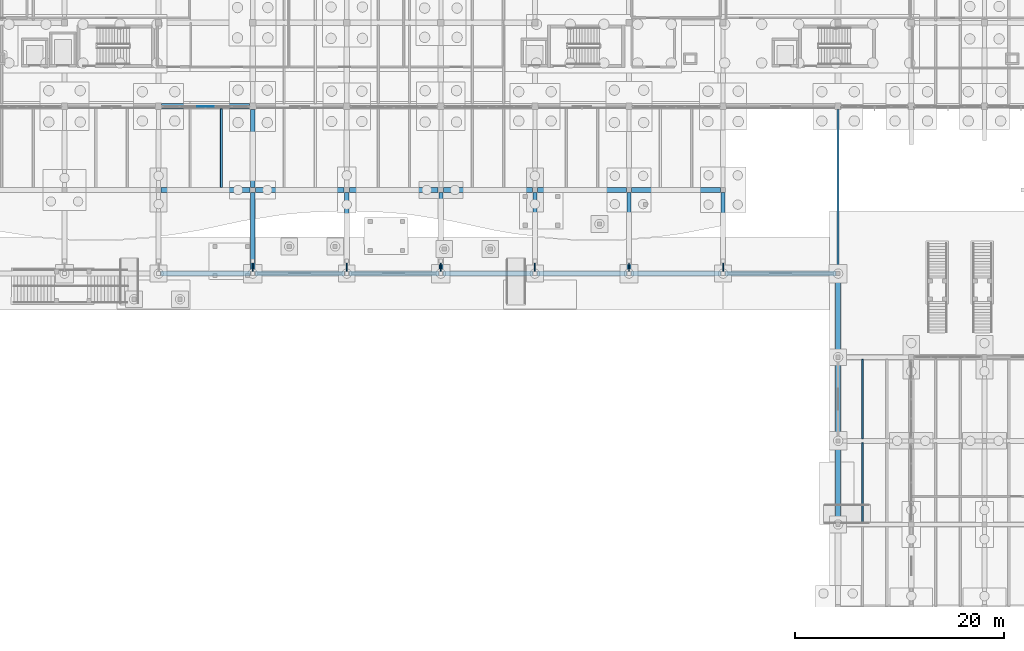
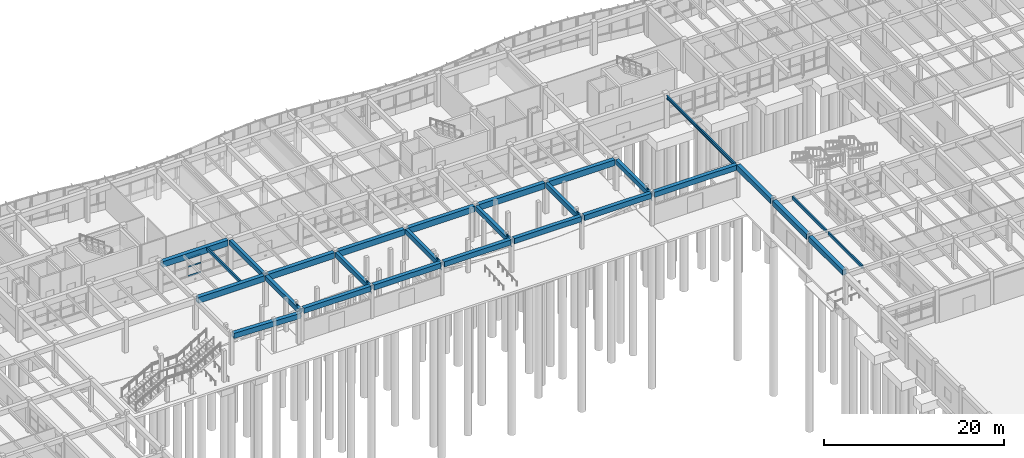
# One storey, part 31 of 99: 28 beams, 9 members, 1 element without a shape of its own.
"""IFC4 building model written with IfcOpenShell, lengths in metres."""

from ifc_helpers import new_model, si_unit, direction, frame, origin, origin_2d, place, context, subcontext, project, spatial, rectangle, hollow_circle, i_section, extrude, material, layer, layer_set, material_profile, profile_set, type_object, element, aggregate, save


model = new_model("IFC4")

# Units and contexts
model_context = context("Model", 3, precision=1e-05, world=origin(), true_north=direction((0.0, 1.0)))
body_context = subcontext(model_context, "Body", "Model", "MODEL_VIEW")
ifc_project = project(units=[si_unit("LENGTHUNIT", "METRE"), si_unit("AREAUNIT", "SQUARE_METRE"), si_unit("VOLUMEUNIT", "CUBIC_METRE"), si_unit("PLANEANGLEUNIT", "RADIAN"), si_unit("MASSUNIT", "GRAM", prefix="KILO")], contexts=[model_context])

# Site, building, storey
site_placement = place(None, origin())
site = spatial("IfcSite", under=ifc_project, at=site_placement, CompositionType="ELEMENT")
building_placement = place(site_placement, origin())
building = spatial("IfcBuilding", under=site, at=building_placement, Name="Tonlespit Floodbar School", CompositionType="ELEMENT")
storey_placement = place(building_placement, origin())
storey = spatial("IfcBuildingStorey", under=building, at=storey_placement, Name="L00", CompositionType="ELEMENT", Elevation=0.0)

# Beams
ifc_material_1 = material(Name="Concrete C40/50", Category="concrete")
ifc_material_profile_1 = material_profile(ifc_material_1, rectangle(XDim=0.39990234375, YDim=0.64990234375, at=origin_2d()), Name="RC 400x650")
ifc_profile_set_1 = profile_set([ifc_material_profile_1], Name="Concrete C40/50")
beam_type_1 = type_object("IfcBeamType", Name="Beam_RC_400x650", PredefinedType="BEAM", material=ifc_profile_set_1)
beam_1_placement = place(storey_placement, frame((71.0, 88.199951171875, 3.9150390625), z_axis=(0.0, 1.0, 0.0), x_axis=(-1.0, 0.0, 0.0)))
element("IfcBeam", 1, at=beam_1_placement, inside=storey, type_object=beam_type_1, Name="L00 girder 0240", PredefinedType="BEAM", context=body_context, shape_type="SweptSolid", body=[
    extrude(rectangle(XDim=0.39990234375, YDim=0.64990234375, at=origin_2d()), origin(), (0.0, 0.0, 1.0), 7.550048828125),
])
beam_2_placement = place(storey_placement, frame((71.0, 96.25, 3.9150390625), z_axis=(0.0, 1.0, 0.0), x_axis=(-1.0, 0.0, 0.0)))
element("IfcBeam", 2, at=beam_2_placement, inside=storey, type_object=beam_type_1, Name="L00 girder 0241", PredefinedType="BEAM", context=body_context, shape_type="SweptSolid", body=[
    extrude(rectangle(XDim=0.39990234375, YDim=0.64990234375, at=origin_2d()), origin(), (0.0, 0.0, 1.0), 7.449951171875),
])
for number, where, z_axis, x_axis, name in (
    (3, (80.0, 88.199951171875, 3.9150390625), (0.0, 1.0, 0.0), (-1.0, 0.0, 0.0), "L00 girder 0244"),
    (4, (89.0, 88.199951171875, 3.9150390625), (0.0, 1.0, 0.0), (-1.0, 0.0, 0.0), "L00 girder 0248"),
    (5, (98.0, 88.199951171875, 3.9150390625), (0.0, 1.0, 0.0), (-1.0, 0.0, 0.0), "L00 girder 0252"),
    (6, (107.0, 88.199951171875, 3.9150390625), (0.0, 1.0, 0.0), (-1.0, 0.0, 0.0), "L00 girder 0255"),
    (7, (116.0, 88.199951171875, 3.9150390625), (0.0, 1.0, 0.0), (-1.0, 0.0, 0.0), "L00 girder 0257"),
):
    element("IfcBeam", number, at=place(storey_placement, frame(where, z_axis=z_axis, x_axis=x_axis)), inside=storey, type_object=beam_type_1, Name=name, PredefinedType="BEAM", context=body_context, shape_type="SweptSolid", body=[
        extrude(rectangle(XDim=0.39990234375, YDim=0.64990234375, at=origin_2d()), origin(), (0.0, 0.0, 1.0), 7.550048828125),
    ])
ifc_material_profile_2 = material_profile(ifc_material_1, rectangle(XDim=0.5, YDim=0.800048828125, at=origin_2d()), Name="RC 500x800")
ifc_profile_set_2 = profile_set([ifc_material_profile_2], Name="Concrete C40/50")
beam_type_2 = type_object("IfcBeamType", Name="Beam_RC_500x800", PredefinedType="BEAM", material=ifc_profile_set_2)
for number, where, z_axis, x_axis, name in (
    (8, (62.25, 96.0, 3.840087890625), (1.0, 0.0, 0.0), (0.0, 1.0, 0.0), "L00 girder 0114"),
    (9, (71.25, 96.0, 3.840087890625), (1.0, 0.0, 0.0), (0.0, 1.0, 0.0), "L00 girder 0115"),
    (10, (80.25, 96.0, 3.840087890625), (1.0, 0.0, 0.0), (0.0, 1.0, 0.0), "L00 girder 0116"),
    (11, (89.25, 96.0, 3.840087890625), (1.0, 0.0, 0.0), (0.0, 1.0, 0.0), "L00 girder 0117"),
    (12, (98.25, 96.0, 3.840087890625), (1.0, 0.0, 0.0), (0.0, 1.0, 0.0), "L00 girder 0118"),
    (13, (107.25, 96.0, 3.840087890625), (1.0, 0.0, 0.0), (0.0, 1.0, 0.0), "L00 girder 0119"),
):
    element("IfcBeam", number, at=place(storey_placement, frame(where, z_axis=z_axis, x_axis=x_axis)), inside=storey, type_object=beam_type_2, Name=name, PredefinedType="BEAM", context=body_context, shape_type="SweptSolid", body=[
        extrude(rectangle(XDim=0.5, YDim=0.800048828125, at=origin_2d()), origin(), (0.0, 0.0, 1.0), 8.5),
    ])
beam_3_placement = place(storey_placement, frame((62.300048828125, 104.0, 3.840087890625), z_axis=(1.0, 0.0, 0.0), x_axis=(0.0, 1.0, 0.0)))
element("IfcBeam", 14, at=beam_3_placement, inside=storey, type_object=beam_type_2, Name="L00 girder 0126", PredefinedType="BEAM", context=body_context, shape_type="SweptSolid", body=[
    extrude(rectangle(XDim=0.5, YDim=0.800048828125, at=origin_2d()), origin(), (0.0, 0.0, 1.0), 8.39990234375),
])
ifc_material_2 = material(Name="Steel S355", Category="steel")
ifc_material_profile_3 = material_profile(ifc_material_2, i_section(OverallWidth=0.18994140625, OverallDepth=0.449951171875, WebThickness=0.009521484375, FlangeThickness=0.0146484375, at=origin_2d()), Name="IPE 450")
ifc_profile_set_3 = profile_set([ifc_material_profile_3], Name="Steel S355")
beam_type_3 = type_object("IfcBeamType", Name="Beam_STL_IPE450", PredefinedType="BEAM", material=ifc_profile_set_3)
beam_4_placement = place(storey_placement, frame((127.0, 88.199951171875, 4.014892578125), z_axis=(0.0, 1.0, 0.0), x_axis=(-1.0, 0.0, 0.0)))
element("IfcBeam", 15, at=beam_4_placement, inside=storey, type_object=beam_type_3, Name="L00 girder 0271", PredefinedType="BEAM", context=body_context, shape_type="SweptSolid", body=[
    extrude(i_section(OverallWidth=0.18994140625, OverallDepth=0.449951171875, WebThickness=0.009521484375, FlangeThickness=0.0146484375, at=origin_2d()), origin(), (0.0, 0.0, 1.0), 15.5),
])

# Curtain wall, members
ifc_material_3 = material(Name="Anodised Aluminium", Category="aluminium")
ifc_layer = layer(ifc_material_3, 0.159912109375)
ifc_layer_set = layer_set([ifc_layer], Name="Anodised Aluminium")
curtain_wall_type = type_object("IfcCurtainWallType", Name="CurtainWall_8300x2500", PredefinedType="NOTDEFINED", material=ifc_layer_set)
curtain_wall_placement = place(storey_placement, origin())
curtain_wall = element("IfcCurtainWall", 16, at=curtain_wall_placement, inside=storey, type_object=curtain_wall_type, Name="L00 unitised curtain wall 0038", PredefinedType="NOTDEFINED")
ifc_material_profile_4 = material_profile(ifc_material_3, rectangle(XDim=0.06494140625, YDim=0.1201171875, at=origin_2d()), Name="ALU T65x120")
ifc_profile_set_4 = profile_set([ifc_material_profile_4], Name="Anodised Aluminium")
member_type_1 = type_object("IfcMemberType", Name="CW_Transom_65x120", PredefinedType="USERDEFINED", material=ifc_profile_set_4)
member_1_placement = place(storey_placement, frame((67.299560546875, 104.0, 0.982421875), z_axis=(-1.0, 0.0, 0.0), x_axis=(0.0, -1.0, 0.0)))
member_1 = element("IfcMember", 17, at=member_1_placement, type_object=member_type_1, Name="CW-03 transom 3.1", ObjectType="TRANSOM", PredefinedType="USERDEFINED", context=body_context, shape_type="SweptSolid", body=[
    extrude(rectangle(XDim=0.06494140625, YDim=0.1201171875, at=origin_2d()), origin(), (0.0, 0.0, 1.0), 1.59912109375),
])
member_2_placement = place(storey_placement, frame((67.299560546875, 104.0, 2.244873046875), z_axis=(-1.0, 0.0, 0.0), x_axis=(0.0, -1.0, 0.0)))
member_2 = element("IfcMember", 18, at=member_2_placement, type_object=member_type_1, Name="CW-03 transom 3.2", ObjectType="TRANSOM", PredefinedType="USERDEFINED", context=body_context, shape_type="SweptSolid", body=[
    extrude(rectangle(XDim=0.06494140625, YDim=0.1201171875, at=origin_2d()), origin(), (0.0, 0.0, 1.0), 1.59912109375),
])
member_3_placement = place(storey_placement, frame((67.299560546875, 104.0, 3.407470703125), z_axis=(-1.0, 0.0, 0.0), x_axis=(0.0, -1.0, 0.0)))
member_3 = element("IfcMember", 19, at=member_3_placement, type_object=member_type_1, Name="CW-03 transom 3.3", ObjectType="TRANSOM", PredefinedType="USERDEFINED", context=body_context, shape_type="SweptSolid", body=[
    extrude(rectangle(XDim=0.06494140625, YDim=0.1201171875, at=origin_2d()), origin(), (0.0, 0.0, 1.0), 1.59912109375),
])
aggregate(curtain_wall, [member_1, member_2, member_3])

# Beams
ifc_material_4 = material(Name="Glulam GL28h", Category="wood")
ifc_material_profile_5 = material_profile(ifc_material_4, rectangle(XDim=0.179931640625, YDim=0.39990234375, at=origin_2d()), Name="GL 180x400")
ifc_profile_set_5 = profile_set([ifc_material_profile_5], Name="Glulam GL28h")
beam_type_4 = type_object("IfcBeamType", Name="Joist_GL_180x400", PredefinedType="JOIST", material=ifc_profile_set_5)
for number, where, z_axis, x_axis, name in (
    (20, (129.333251953125, 64.199951171875, 4.0400390625), (0.0, 1.0, 0.0), (-1.0, 0.0, 0.0), "L00 secondary joist 0424"),
    (21, (129.333251953125, 72.199951171875, 4.0400390625), (0.0, 1.0, 0.0), (-1.0, 0.0, 0.0), "L00 secondary joist 0444"),
):
    element("IfcBeam", number, at=place(storey_placement, frame(where, z_axis=z_axis, x_axis=x_axis)), inside=storey, type_object=beam_type_4, Name=name, PredefinedType="JOIST", context=body_context, shape_type="SweptSolid", body=[
        extrude(rectangle(XDim=0.179931640625, YDim=0.39990234375, at=origin_2d()), origin(), (0.0, 0.0, 1.0), 7.60009765625),
    ])
beam_5_placement = place(storey_placement, frame((68.0, 96.25, 4.0400390625), z_axis=(0.0, 1.0, 0.0), x_axis=(-1.0, 0.0, 0.0)))
element("IfcBeam", 22, at=beam_5_placement, inside=storey, type_object=beam_type_4, Name="L00 secondary joist 0485", PredefinedType="JOIST", context=body_context, shape_type="SweptSolid", body=[
    extrude(rectangle(XDim=0.179931640625, YDim=0.39990234375, at=origin_2d()), origin(), (0.0, 0.0, 1.0), 7.5),
])
ifc_material_profile_6 = material_profile(ifc_material_1, rectangle(XDim=0.5, YDim=0.699951171875, at=origin_2d()), Name="RC 500x700")
ifc_profile_set_6 = profile_set([ifc_material_profile_6], Name="Concrete C40/50")
beam_type_5 = type_object("IfcBeamType", Name="Spandrel_RC_500x700", PredefinedType="SPANDREL", material=ifc_profile_set_6)
beam_6_placement = place(storey_placement, frame((62.199951171875, 88.0, 3.89306640625), z_axis=(0.99955351266, 0.0, -0.029879346188), x_axis=(0.0, 1.0, 0.0)))
element("IfcBeam", 23, at=beam_6_placement, inside=storey, type_object=beam_type_5, Name="L00 girder 0096", PredefinedType="SPANDREL", context=body_context, shape_type="SweptSolid", body=[
    extrude(rectangle(XDim=0.5, YDim=0.699951171875, at=origin_2d()), origin(), (0.0, 0.0, 1.0), 8.60400390625),
])
for number, where, z_axis, x_axis, name in (
    (24, (71.199951171875, 88.0, 4.14990234375), (1.0, 0.0, 0.0), (0.0, 1.0, 0.0), "L00 girder 0097"),
    (25, (80.199951171875, 88.0, 4.14990234375), (1.0, 0.0, 0.0), (0.0, 1.0, 0.0), "L00 girder 0098"),
    (26, (89.199951171875, 88.0, 4.14990234375), (1.0, 0.0, 0.0), (0.0, 1.0, 0.0), "L00 girder 0099"),
    (27, (98.199951171875, 88.0, 4.14990234375), (1.0, 0.0, 0.0), (0.0, 1.0, 0.0), "L00 girder 0100"),
    (28, (107.199951171875, 88.0, 4.14990234375), (1.0, 0.0, 0.0), (0.0, 1.0, 0.0), "L00 girder 0101"),
):
    element("IfcBeam", number, at=place(storey_placement, frame(where, z_axis=z_axis, x_axis=x_axis)), inside=storey, type_object=beam_type_5, Name=name, PredefinedType="SPANDREL", context=body_context, shape_type="SweptSolid", body=[
        extrude(rectangle(XDim=0.5, YDim=0.699951171875, at=origin_2d()), origin(), (0.0, 0.0, 1.0), 8.60009765625),
    ])
beam_7_placement = place(storey_placement, frame((116.199951171875, 88.0, 4.14990234375), z_axis=(1.0, 0.0, 0.0), x_axis=(0.0, 1.0, 0.0)))
element("IfcBeam", 29, at=beam_7_placement, inside=storey, type_object=beam_type_5, Name="L00 girder 0102", PredefinedType="SPANDREL", context=body_context, shape_type="SweptSolid", body=[
    extrude(rectangle(XDim=0.5, YDim=0.699951171875, at=origin_2d()), origin(), (0.0, 0.0, 1.0), 10.60009765625),
])
for number, where, z_axis, x_axis, name in (
    (30, (127.0, 64.199951171875, 4.14990234375), (0.0, 1.0, 0.0), (-1.0, 0.0, 0.0), "L00 girder 0268"),
    (31, (127.0, 72.199951171875, 4.14990234375), (0.0, 1.0, 0.0), (-1.0, 0.0, 0.0), "L00 girder 0269"),
    (32, (127.0, 80.199951171875, 4.14990234375), (0.0, 1.0, 0.0), (-1.0, 0.0, 0.0), "L00 girder 0270"),
):
    element("IfcBeam", number, at=place(storey_placement, frame(where, z_axis=z_axis, x_axis=x_axis)), inside=storey, type_object=beam_type_5, Name=name, PredefinedType="SPANDREL", context=body_context, shape_type="SweptSolid", body=[
        extrude(rectangle(XDim=0.5, YDim=0.699951171875, at=origin_2d()), origin(), (0.0, 0.0, 1.0), 7.60009765625),
    ])

# Members
ifc_material_profile_7 = material_profile(ifc_material_2, hollow_circle(Radius=0.06982421875, WallThickness=0.00634765625, at=origin_2d()), Name="CHS 139.7x6.3")
ifc_profile_set_7 = profile_set([ifc_material_profile_7], Name="Steel S355")
member_type_2 = type_object("IfcMemberType", Name="Strut_STL_CHS139", PredefinedType="STRUT", material=ifc_profile_set_7)
for number, where, z_axis, x_axis, name in (
    (33, (71.0, 88.0, 3.300048828125), (0.0, 0.68391798523, 0.729558900623), (-1.0, 0.0, 0.0), "North colonnade canopy strut 10"),
    (34, (80.0, 88.0, 3.300048828125), (0.0, 0.68391798523, 0.729558900623), (-1.0, 0.0, 0.0), "North colonnade canopy strut 11"),
    (35, (89.0, 88.0, 3.300048828125), (0.0, 0.68391798523, 0.729558900623), (-1.0, 0.0, 0.0), "North colonnade canopy strut 12"),
    (36, (98.0, 88.0, 3.300048828125), (0.0, 0.68391798523, 0.729558900623), (-1.0, 0.0, 0.0), "North colonnade canopy strut 13"),
    (37, (107.0, 88.0, 3.300048828125), (0.0, 0.68391798523, 0.729558900623), (-1.0, 0.0, 0.0), "North colonnade canopy strut 14"),
    (38, (116.0, 88.0, 3.300048828125), (0.0, 0.68391798523, 0.729558900623), (-1.0, 0.0, 0.0), "North colonnade canopy strut 15"),
):
    element("IfcMember", number, at=place(storey_placement, frame(where, z_axis=z_axis, x_axis=x_axis)), inside=storey, type_object=member_type_2, Name=name, PredefinedType="STRUT", context=body_context, shape_type="SweptSolid", body=[
        extrude(hollow_circle(Radius=0.06982421875, WallThickness=0.00634765625, at=origin_2d()), origin(), (0.0, 0.0, 1.0), 1.754638671875),
    ])

save(model, "model.ifc")
